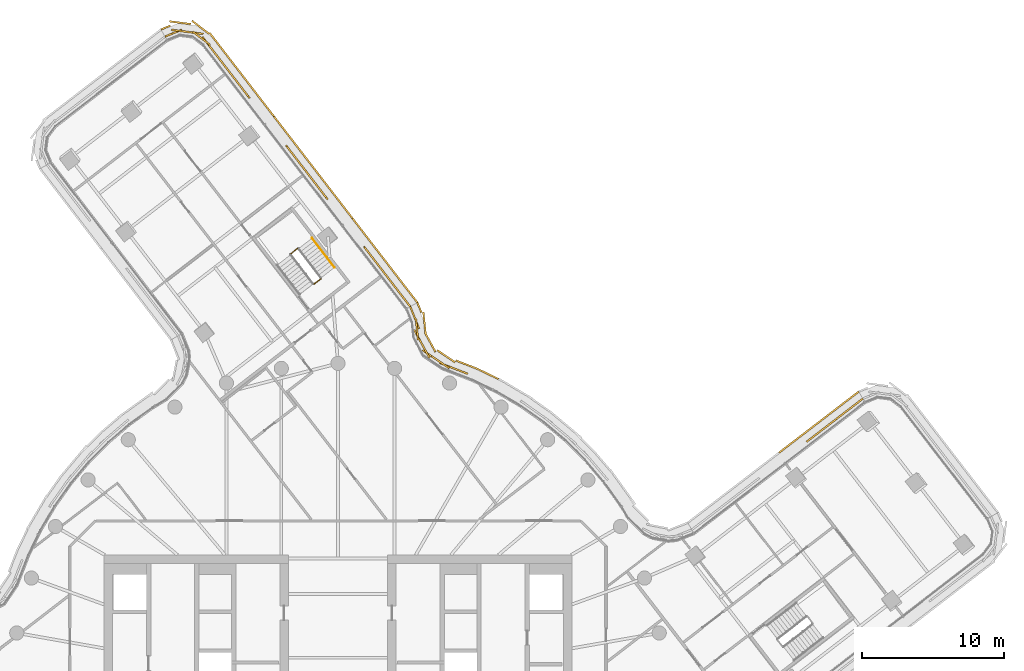
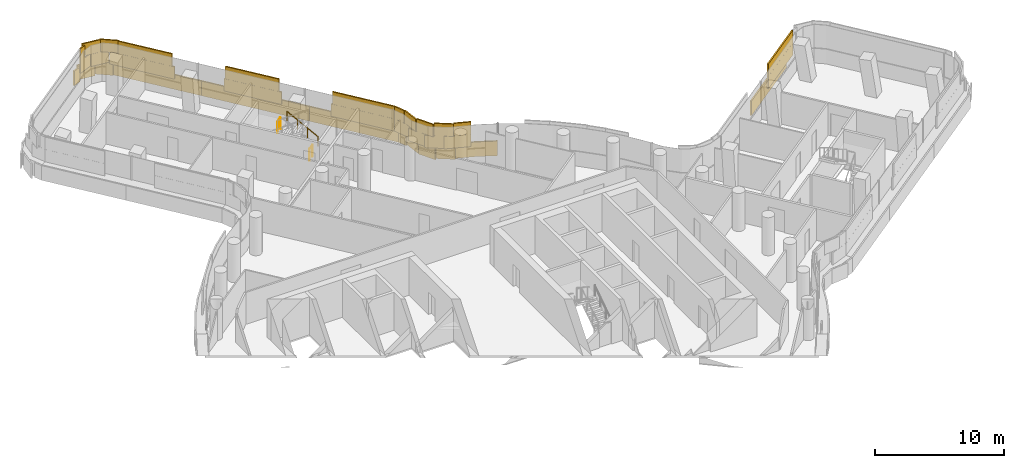
# One storey, part 33 of 33: 5 coverings, 3 railings.
"""IFC4 building model written with IfcOpenShell, lengths in metres."""

import ifcopenshell
import ifcopenshell.guid

model = None  # the IFC model being written
_history = None  # IfcOwnerHistory: only IFC2X3 demands one
_inside = {}  # id of a spatial element -> (the spatial element, [elements in it])
_under = {}  # id of a project, library or spatial element -> (it, [spatial elements below it])
_declared = {}  # id of a project -> (the project, [libraries it declares])
_typed = {}  # id of a type object -> (the type object, [elements of that type])
_made_of = {}  # id of a material, layer set ... -> (it, [elements and type objects made of it])


def new_model(schema):
    """Start an empty IFC model of exactly this schema.

    Asked for "IFC4X3", IfcOpenShell would pick the latest addendum, in which some entities
    have other attributes; the version numbers below select the first issue.
    IFC2X3 requires an IfcOwnerHistory on every rooted entity: one is made here for all.
    """
    global model, _history
    if schema == "IFC4X3":
        model = ifcopenshell.file(schema_version=(4, 3, 0, 0))
    else:
        model = ifcopenshell.file(schema=schema)
    _inside.clear()
    _under.clear()
    _declared.clear()
    _typed.clear()
    _made_of.clear()
    _history = None
    if model.schema == "IFC2X3":
        org = make("IfcOrganization", Name="unknown")
        user = make(
            "IfcPersonAndOrganization",
            ThePerson=make("IfcPerson", FamilyName="unknown"),
            TheOrganization=org,
        )
        app = make(
            "IfcApplication",
            ApplicationDeveloper=org,
            Version="unknown",
            ApplicationFullName="unknown",
            ApplicationIdentifier="unknown",
        )
        _history = make(
            "IfcOwnerHistory",
            OwningUser=user,
            OwningApplication=app,
            ChangeAction="ADDED",
            CreationDate=0,
        )
    return model


def make(cls, **values):
    """One entity of the class cls with the attributes given. An attribute that is None is left unset."""
    return model.create_entity(
        cls, **{name: value for name, value in values.items() if value is not None}
    )


def rooted(cls, **values):
    """An entity with a GlobalId (a new one), such as an element, a storey or a relation."""
    return make(cls, GlobalId=ifcopenshell.guid.new(), OwnerHistory=_history, **values)


def si_unit(unit_type, name, prefix=None):
    """IfcSIUnit, for example si_unit("LENGTHUNIT", "METRE", prefix="MILLI")."""
    return make("IfcSIUnit", UnitType=unit_type, Prefix=prefix, Name=name)


def assignment(units):
    """IfcUnitAssignment: the units of a project."""
    return None if units is None else make("IfcUnitAssignment", Units=units)


def point(xyz):
    """IfcCartesianPoint."""
    return None if xyz is None else make("IfcCartesianPoint", Coordinates=xyz)


def direction(xyz):
    """IfcDirection."""
    return None if xyz is None else make("IfcDirection", DirectionRatios=xyz)


def frame(location, z_axis=None, x_axis=None):
    """IfcAxis2Placement3D, a coordinate frame: its origin and axes. An axis left out is left unset."""
    return make(
        "IfcAxis2Placement3D",
        Location=point(location),
        Axis=direction(z_axis),
        RefDirection=direction(x_axis),
    )


def frame_2d(location, x_axis=None):
    """IfcAxis2Placement2D, a coordinate frame in the plane: its origin and x axis."""
    return make(
        "IfcAxis2Placement2D", Location=point(location), RefDirection=direction(x_axis)
    )


def origin():
    """The frame at (0, 0, 0) with its axes left unset."""
    return frame((0.0, 0.0, 0.0))


def origin_2d():
    """The frame at (0, 0) in the plane with its x axis left unset."""
    return frame_2d((0.0, 0.0))


def place(relative_to, where):
    """IfcLocalPlacement: puts the frame where relative to a parent placement (None: the world)."""
    return make(
        "IfcLocalPlacement", PlacementRelTo=relative_to, RelativePlacement=where
    )


def context(
    kind, dimensions, precision=None, world=None, true_north=None, identifier=None
):
    """IfcGeometricRepresentationContext, for example the 3D "Model" context."""
    return make(
        "IfcGeometricRepresentationContext",
        ContextIdentifier=identifier,
        ContextType=kind,
        CoordinateSpaceDimension=dimensions,
        Precision=precision,
        WorldCoordinateSystem=world,
        TrueNorth=true_north,
    )


def subcontext(parent, identifier, kind, view, scale=None):
    """IfcGeometricRepresentationSubContext, for example "Body" below "Model"."""
    return make(
        "IfcGeometricRepresentationSubContext",
        ContextIdentifier=identifier,
        ContextType=kind,
        ParentContext=parent,
        TargetScale=scale,
        TargetView=view,
    )


def project(units=None, contexts=None):
    """IfcProject with its units and contexts."""
    return rooted(
        "IfcProject",
        Name="project",
        RepresentationContexts=contexts,
        UnitsInContext=assignment(units),
    )


def spatial(cls, under=None, at=None, **own):
    """A site, building, storey or space (cls), placed at a placement, below another one or the project."""
    s = rooted(cls, ObjectPlacement=at, **own)
    if under is not None:
        _under.setdefault(under.id(), (under, []))[1].append(s)
    return s


def profile(cls, at=None, kind="AREA", **sizes):
    """A parametric profile (cls). Its sizes go by their IFC names, for example OverallWidth=200.0."""
    return make(cls, ProfileType=kind, Position=at, **sizes)


def rectangle(**sizes):
    """IfcRectangleProfileDef."""
    return profile("IfcRectangleProfileDef", **sizes)


def circle(**sizes):
    """IfcCircleProfileDef."""
    return profile("IfcCircleProfileDef", **sizes)


def extrude(swept, where, along, depth):
    """IfcExtrudedAreaSolid: the profile swept, set in the frame where, extruded along a direction by depth."""
    return make(
        "IfcExtrudedAreaSolid",
        SweptArea=swept,
        Position=where,
        ExtrudedDirection=direction(along),
        Depth=depth,
    )


def shape(context_of_items, identifier, shape_type, items):
    """IfcShapeRepresentation: the items that make up one representation, for example the "Body"."""
    return make(
        "IfcShapeRepresentation",
        ContextOfItems=context_of_items,
        RepresentationIdentifier=identifier,
        RepresentationType=shape_type,
        Items=items,
    )


def material(Name=None, Category=None):
    """IfcMaterial."""
    return make("IfcMaterial", Name=Name, Category=Category)


def layer(
    of_material, thickness, ventilated=None, Name=None, Category=None, Priority=None
):
    """IfcMaterialLayer: one layer of a wall or slab, of a material (None: an air gap)."""
    return make(
        "IfcMaterialLayer",
        Material=of_material,
        LayerThickness=thickness,
        IsVentilated=ventilated,
        Name=Name,
        Category=Category,
        Priority=Priority,
    )


def layer_set(layers, Name=None):
    """IfcMaterialLayerSet."""
    return make("IfcMaterialLayerSet", MaterialLayers=layers, LayerSetName=Name)


def made_of(thing, what):
    """Note that an element or type object is made of a material, layer set ...; save() writes the relation."""
    if what is not None:
        _made_of.setdefault(what.id(), (what, []))[1].append(thing)
    return thing


def type_object(cls, material=None, **own):
    """A type object (cls), such as IfcWallType, which elements share."""
    return made_of(rooted(cls, **own), material)


def element(
    cls,
    number,
    at=None,
    inside=None,
    cuts=None,
    type_object=None,
    material=None,
    context=None,
    identifier="Body",
    shape_type=None,
    held_by="IfcProductDefinitionShape",
    body=None,
    shapes=None,
    **own,
):
    """One element of the class cls, such as IfcWall. Its Tag is "e" and its number.

    at: its placement. inside: the storey or other place that contains it. cuts: it is an
    opening in that element (IfcRelVoidsElement). A single representation is given by context,
    identifier, shape_type and body (its items); several are given by shapes. held_by: the class
    of the entity that holds the representations. save() writes the other relations.
    """
    e = rooted(cls, Tag="e%d" % number, ObjectPlacement=at, **own)
    if body is not None:
        shapes = [shape(context, identifier, shape_type, body)]
    if shapes is not None:
        e.Representation = make(held_by, Representations=shapes)
    if inside is not None:
        _inside.setdefault(inside.id(), (inside, []))[1].append(e)
    if cuts is not None:
        rooted(
            "IfcRelVoidsElement", RelatingBuildingElement=cuts, RelatedOpeningElement=e
        )
    if type_object is not None:
        _typed.setdefault(type_object.id(), (type_object, []))[1].append(e)
    return made_of(e, material)


def aggregate(whole, parts):
    """IfcRelAggregates: a whole, such as a stair, and the parts it consists of."""
    return rooted("IfcRelAggregates", RelatingObject=whole, RelatedObjects=parts)


def save(model, path):
    """Write the relations noted so far, then the file.

    IfcRelAggregates (storeys below a building ...), IfcRelContainedInSpatialStructure (elements
    in a storey), IfcRelDefinesByType, IfcRelAssociatesMaterial and IfcRelDeclares: one each for
    every whole, place, type object, material and project.
    """
    for whole, parts in _under.values():
        aggregate(whole, parts)
    for where, things in _inside.values():
        rooted(
            "IfcRelContainedInSpatialStructure",
            RelatedElements=things,
            RelatingStructure=where,
        )
    for kind, things in _typed.values():
        rooted("IfcRelDefinesByType", RelatedObjects=things, RelatingType=kind)
    for what, things in _made_of.values():
        rooted("IfcRelAssociatesMaterial", RelatedObjects=things, RelatingMaterial=what)
    for by, libraries in _declared.values():
        rooted("IfcRelDeclares", RelatingContext=by, RelatedDefinitions=libraries)
    model.write(path)


model = new_model("IFC4")

# Units and contexts
model_context = context("Model", 3, precision=1e-05, world=origin(), true_north=direction((0.0, 1.0)))
body_context = subcontext(model_context, "Body", "Model", "MODEL_VIEW")
ifc_project = project(units=[si_unit("LENGTHUNIT", "METRE"), si_unit("AREAUNIT", "SQUARE_METRE"), si_unit("VOLUMEUNIT", "CUBIC_METRE"), si_unit("PLANEANGLEUNIT", "RADIAN"), si_unit("MASSUNIT", "GRAM", prefix="KILO")], contexts=[model_context])

# Site, building, storey
site_placement = place(None, origin())
site = spatial("IfcSite", under=ifc_project, at=site_placement, CompositionType="ELEMENT")
building_placement = place(site_placement, origin())
building = spatial("IfcBuilding", under=site, at=building_placement, Name="Tamarind Cross Interchange Tower", CompositionType="ELEMENT")
storey_placement = place(building_placement, frame((0.0, 0.0, 170.5)))
storey = spatial("IfcBuildingStorey", under=building, at=storey_placement, Name="L42", CompositionType="ELEMENT", Elevation=170.5)

# Railings
ifc_material_1 = material(Name="Stair guard")
railing_type_1 = type_object("IfcRailingType", Name="Stair guard", PredefinedType="GUARDRAIL", material=ifc_material_1)
railing_1_placement = place(storey_placement, frame((-2.848388671875, 31.103759765625, 1.875)))
element("IfcRailing", 1, at=railing_1_placement, inside=storey, type_object=railing_type_1, Name="L42 ST4 stair guard 2", PredefinedType="GUARDRAIL", context=body_context, shape_type="SweptSolid", body=[
    extrude(circle(Radius=0.02392578125, at=origin_2d()), frame((0.0, 0.0, 1.076171875), z_axis=(-0.792018396925, -0.610497222707, 0.0), x_axis=(0.610497222707, -0.792018396925, 0.0)), (0.0, 0.0, 1.0), 0.599853515625),
    extrude(circle(Radius=0.02099609375, at=origin_2d()), origin(), (0.0, 0.0, 1.0), 1.052001953125),
    extrude(circle(Radius=0.02099609375, at=origin_2d()), frame((-0.47509765625, -0.3662109375, 0.0)), (0.0, 0.0, 1.0), 1.052001953125),
])
railing_2_placement = place(storey_placement, frame((-1.200439453125, 28.965087890625, 0.0)))
element("IfcRailing", 2, at=railing_2_placement, inside=storey, type_object=railing_type_1, Name="L42 ST4 stair guard 4", PredefinedType="GUARDRAIL", context=body_context, shape_type="SweptSolid", body=[
    extrude(circle(Radius=0.02392578125, at=origin_2d()), frame((0.0, 0.0, 1.076171875), z_axis=(-0.792170014607, -0.610300473503, 0.0), x_axis=(0.610300473503, -0.792170014607, 0.0)), (0.0, 0.0, 1.0), 0.60009765625),
    extrude(circle(Radius=0.02099609375, at=origin_2d()), origin(), (0.0, 0.0, 1.0), 1.052001953125),
    extrude(circle(Radius=0.02099609375, at=origin_2d()), frame((-0.475341796875, -0.3662109375, 0.0)), (0.0, 0.0, 1.0), 1.052001953125),
])
ifc_material_2 = material(Name="Stair handrail")
railing_type_2 = type_object("IfcRailingType", Name="Stair handrail", PredefinedType="HANDRAIL", material=ifc_material_2)
railing_3_placement = place(storey_placement, frame((-0.24072265625, 29.767578125, 0.17041015625)))
element("IfcRailing", 3, at=railing_3_placement, inside=storey, type_object=railing_type_2, Name="L42 ST4 stair handrail 1", PredefinedType="HANDRAIL", context=body_context, shape_type="SweptSolid", body=[
    extrude(circle(Radius=0.02392578125, at=origin_2d()), frame((0.0, 0.0, 0.8759765625), z_axis=(-0.510429269447, 0.662458664163, 0.548279562967), x_axis=(-0.792135038923, -0.61034586925, 0.0)), (0.0, 0.0, 1.0), 3.10888671875),
    extrude(circle(Radius=0.02099609375, at=origin_2d()), origin(), (0.0, 0.0, 1.0), 0.851806640625),
    extrude(circle(Radius=0.02099609375, at=origin_2d()), frame((-0.529052734375, 0.6865234375, 0.568115234375)), (0.0, 0.0, 1.0), 0.851806640625),
    extrude(circle(Radius=0.02099609375, at=origin_2d()), frame((-1.057861328125, 1.373046875, 1.136474609375)), (0.0, 0.0, 1.0), 0.851806640625),
    extrude(circle(Radius=0.02099609375, at=origin_2d()), frame((-1.5869140625, 2.0595703125, 1.70458984375)), (0.0, 0.0, 1.0), 0.851806640625),
])

# Coverings
ifc_material_3 = material(Name="Terracotta", Category="masonry")
ifc_layer = layer(ifc_material_3, 0.1201171875)
ifc_layer_set = layer_set([ifc_layer], Name="Terracotta")
covering_type = type_object("IfcCoveringType", Name="Terracotta baguette screen unit", PredefinedType="MOLDING", material=ifc_layer_set)
covering_1_placement = place(storey_placement, origin())
element("IfcCovering", 4, at=covering_1_placement, inside=storey, type_object=covering_type, Name="SCR-L42-01-00", PredefinedType="MOLDING", context=body_context, shape_type="SweptSolid", body=[
    extrude(rectangle(XDim=1.510009765625, YDim=0.1201171875, at=origin_2d()), frame((36.412841796875, 20.057373046875, 1.404052734375), z_axis=(0.0, 0.0, 1.0), x_axis=(-0.793725115769, -0.608276615198, 0.0)), (0.0, 0.0, 1.0), 1.1669921875),
    extrude(rectangle(XDim=1.52001953125, YDim=0.1201171875, at=origin_2d()), frame((35.222412109375, 19.144775390625, 1.404052734375), z_axis=(0.0, 0.0, 1.0), x_axis=(-0.793725115769, -0.608276615198, 0.0)), (0.0, 0.0, 1.0), 1.1669921875),
    extrude(rectangle(XDim=1.52001953125, YDim=0.1201171875, at=origin_2d()), frame((34.03173828125, 18.232421875, 1.404052734375), z_axis=(0.0, 0.0, 1.0), x_axis=(-0.793725115769, -0.608276615198, 0.0)), (0.0, 0.0, 1.0), 1.1669921875),
    extrude(rectangle(XDim=0.50634765625, YDim=0.1201171875, at=origin_2d()), frame((33.239501953125, 17.625244140625, 1.404052734375), z_axis=(0.0, 0.0, 1.0), x_axis=(-0.793725115769, -0.608276615198, 0.0)), (0.0, 0.0, 1.0), 1.1669921875),
    extrude(rectangle(XDim=0.760009765625, YDim=0.1201171875, at=origin_2d()), frame((36.71044921875, 20.285400390625, 2.5791015625), z_axis=(0.0, 0.0, 1.0), x_axis=(-0.793725115769, -0.608276615198, 0.0)), (0.0, 0.0, 1.0), 1.1669921875),
    extrude(rectangle(XDim=1.52001953125, YDim=0.1201171875, at=origin_2d()), frame((35.817626953125, 19.60107421875, 2.5791015625), z_axis=(0.0, 0.0, 1.0), x_axis=(-0.793725115769, -0.608276615198, 0.0)), (0.0, 0.0, 1.0), 1.1669921875),
    extrude(rectangle(XDim=1.52001953125, YDim=0.1201171875, at=origin_2d()), frame((34.626953125, 18.688720703125, 2.5791015625), z_axis=(0.0, 0.0, 1.0), x_axis=(-0.793725115769, -0.608276615198, 0.0)), (0.0, 0.0, 1.0), 1.1669921875),
    extrude(rectangle(XDim=1.25634765625, YDim=0.1201171875, at=origin_2d()), frame((33.537109375, 17.853271484375, 2.5791015625), z_axis=(0.0, 0.0, 1.0), x_axis=(-0.793725115769, -0.608276615198, 0.0)), (0.0, 0.0, 1.0), 1.1669921875),
    extrude(rectangle(XDim=1.510009765625, YDim=0.1201171875, at=origin_2d()), frame((36.119140625, 20.555419921875, 0.00390625), z_axis=(0.0, 0.0, 1.0), x_axis=(-0.793725115769, -0.608276615198, 0.0)), (0.0, 0.0, 1.0), 1.39208984375),
    extrude(rectangle(XDim=1.52001953125, YDim=0.1201171875, at=origin_2d()), frame((34.9326171875, 19.64599609375, 0.00390625), z_axis=(0.0, 0.0, 1.0), x_axis=(-0.793725115769, -0.608276615198, 0.0)), (0.0, 0.0, 1.0), 1.39208984375),
    extrude(rectangle(XDim=1.52001953125, YDim=0.1201171875, at=origin_2d()), frame((33.741943359375, 18.733642578125, 0.00390625), z_axis=(0.0, 0.0, 1.0), x_axis=(-0.793725115769, -0.608276615198, 0.0)), (0.0, 0.0, 1.0), 1.39208984375),
    extrude(rectangle(XDim=1.52001953125, YDim=0.1201171875, at=origin_2d()), frame((32.55126953125, 17.821044921875, 0.00390625), z_axis=(0.0, 0.0, 1.0), x_axis=(-0.793725115769, -0.608276615198, 0.0)), (0.0, 0.0, 1.0), 1.39208984375),
    extrude(rectangle(XDim=1.103515625, YDim=0.1201171875, at=origin_2d()), frame((31.526123046875, 17.035400390625, 0.00390625), z_axis=(0.0, 0.0, 1.0), x_axis=(-0.793725115769, -0.608276615198, 0.0)), (0.0, 0.0, 1.0), 1.39208984375),
])
covering_2_placement = place(storey_placement, origin())
element("IfcCovering", 5, at=covering_2_placement, inside=storey, type_object=covering_type, Name="SCR-L42-02-01", PredefinedType="MOLDING", context=body_context, shape_type="SweptSolid", body=[
    extrude(rectangle(XDim=0.62158203125, YDim=0.1201171875, at=origin_2d()), frame((8.866943359375, 22.37548828125, 1.404052734375), z_axis=(0.0, 0.0, 1.0), x_axis=(-0.932343972934, 0.361572559984, 0.0)), (0.0, 0.0, 1.0), 1.1669921875),
    extrude(rectangle(XDim=1.52001953125, YDim=0.1201171875, at=origin_2d()), frame((7.882568359375, 22.757080078125, 1.404052734375), z_axis=(0.0, 0.0, 1.0), x_axis=(-0.932343972934, 0.361572559984, 0.0)), (0.0, 0.0, 1.0), 1.1669921875),
    extrude(rectangle(XDim=1.52001953125, YDim=0.1201171875, at=origin_2d()), frame((6.594970703125, 23.510986328125, 1.404052734375), z_axis=(0.0, 0.0, 1.0), x_axis=(-0.827543928648, 0.561400967364, 0.0)), (0.0, 0.0, 1.0), 1.1669921875),
    extrude(rectangle(XDim=1.52001953125, YDim=0.1201171875, at=origin_2d()), frame((5.73681640625, 24.70068359375, 1.404052734375), z_axis=(0.0, 0.0, 1.0), x_axis=(-0.478047090214, 0.8783342072, 0.0)), (0.0, 0.0, 1.0), 1.1669921875),
    extrude(rectangle(XDim=1.52001953125, YDim=0.1201171875, at=origin_2d()), frame((5.43701171875, 26.151611328125, 1.404052734375), z_axis=(0.0, 0.0, 1.0), x_axis=(-0.372126452941, 0.928182041962, 0.0)), (0.0, 0.0, 1.0), 1.1669921875),
    extrude(rectangle(XDim=0.17724609375, YDim=0.1201171875, at=origin_2d()), frame((5.126708984375, 26.92529296875, 1.404052734375), z_axis=(0.0, 0.0, 1.0), x_axis=(-0.372126452941, 0.928182041962, 0.0)), (0.0, 0.0, 1.0), 1.1669921875),
    extrude(rectangle(XDim=1.37158203125, YDim=0.1201171875, at=origin_2d()), frame((8.517333984375, 22.510986328125, 2.5791015625), z_axis=(0.0, 0.0, 1.0), x_axis=(-0.932343972934, 0.361572559984, 0.0)), (0.0, 0.0, 1.0), 1.1669921875),
    extrude(rectangle(XDim=1.52001953125, YDim=0.1201171875, at=origin_2d()), frame((7.215576171875, 23.090087890625, 2.5791015625), z_axis=(0.0, 0.0, 1.0), x_axis=(-0.827543928648, 0.561400967364, 0.0)), (0.0, 0.0, 1.0), 1.1669921875),
    extrude(rectangle(XDim=1.52001953125, YDim=0.1201171875, at=origin_2d()), frame((6.095458984375, 24.0419921875, 2.5791015625), z_axis=(0.0, 0.0, 1.0), x_axis=(-0.478047090214, 0.8783342072, 0.0)), (0.0, 0.0, 1.0), 1.1669921875),
    extrude(rectangle(XDim=1.52001953125, YDim=0.1201171875, at=origin_2d()), frame((5.568359375, 25.418701171875, 2.5791015625), z_axis=(0.0, 0.0, 1.0), x_axis=(-0.105931590269, 0.99437341989, 0.0)), (0.0, 0.0, 1.0), 1.1669921875),
    extrude(rectangle(XDim=0.92724609375, YDim=0.1201171875, at=origin_2d()), frame((5.266357421875, 26.577392578125, 2.5791015625), z_axis=(0.0, 0.0, 1.0), x_axis=(-0.372126452941, 0.928182041962, 0.0)), (0.0, 0.0, 1.0), 1.1669921875),
    extrude(rectangle(XDim=0.296630859375, YDim=0.1201171875, at=origin_2d()), frame((11.1875, 21.959228515625, 0.00390625), z_axis=(0.0, 0.0, 1.0), x_axis=(-0.900272776334, 0.435326231914, 0.0)), (0.0, 0.0, 1.0), 1.39208984375),
    extrude(rectangle(XDim=1.52001953125, YDim=0.1201171875, at=origin_2d()), frame((10.387939453125, 22.345703125, 0.00390625), z_axis=(0.0, 0.0, 1.0), x_axis=(-0.900272776334, 0.435326231914, 0.0)), (0.0, 0.0, 1.0), 1.39208984375),
    extrude(rectangle(XDim=1.52001953125, YDim=0.1201171875, at=origin_2d()), frame((9.010009765625, 22.935546875, 0.00390625), z_axis=(0.0, 0.0, 1.0), x_axis=(-0.932343972934, 0.361572559984, 0.0)), (0.0, 0.0, 1.0), 1.39208984375),
    extrude(rectangle(XDim=1.52001953125, YDim=0.1201171875, at=origin_2d()), frame((7.625732421875, 23.50537109375, 0.00390625), z_axis=(0.0, 0.0, 1.0), x_axis=(-0.827543928648, 0.561400967364, 0.0)), (0.0, 0.0, 1.0), 1.39208984375),
    extrude(rectangle(XDim=1.52001953125, YDim=0.1201171875, at=origin_2d()), frame((6.51708984375, 24.4677734375, 0.00390625), z_axis=(0.0, 0.0, 1.0), x_axis=(-0.478047090214, 0.8783342072, 0.0)), (0.0, 0.0, 1.0), 1.39208984375),
    extrude(rectangle(XDim=1.52001953125, YDim=0.1201171875, at=origin_2d()), frame((6.0966796875, 25.877685546875, 0.00390625), z_axis=(0.0, 0.0, 1.0), x_axis=(-0.105931590269, 0.99437341989, 0.0)), (0.0, 0.0, 1.0), 1.39208984375),
    extrude(rectangle(XDim=0.76513671875, YDim=0.1201171875, at=origin_2d()), frame((5.7412109375, 26.935302734375, 0.00390625), z_axis=(0.0, 0.0, 1.0), x_axis=(-0.372126452941, 0.928182041962, 0.0)), (0.0, 0.0, 1.0), 1.39208984375),
])
covering_3_placement = place(storey_placement, origin())
element("IfcCovering", 6, at=covering_3_placement, inside=storey, type_object=covering_type, Name="SCR-L42-03-00", PredefinedType="MOLDING", context=body_context, shape_type="SweptSolid", body=[
    extrude(rectangle(XDim=1.510009765625, YDim=0.1201171875, at=origin_2d()), frame((4.637939453125, 27.59716796875, 1.404052734375), z_axis=(0.0, 0.0, 1.0), x_axis=(-0.610322147879, 0.792153315847, 0.0)), (0.0, 0.0, 1.0), 1.1669921875),
    extrude(rectangle(XDim=1.52001953125, YDim=0.1201171875, at=origin_2d()), frame((3.722412109375, 28.785400390625, 1.404052734375), z_axis=(0.0, 0.0, 1.0), x_axis=(-0.610322147879, 0.792153315847, 0.0)), (0.0, 0.0, 1.0), 1.1669921875),
    extrude(rectangle(XDim=1.52001953125, YDim=0.1201171875, at=origin_2d()), frame((2.806884765625, 29.9736328125, 1.404052734375), z_axis=(0.0, 0.0, 1.0), x_axis=(-0.610322147879, 0.792153315847, 0.0)), (0.0, 0.0, 1.0), 1.1669921875),
    extrude(rectangle(XDim=0.85205078125, YDim=0.1201171875, at=origin_2d()), frame((2.09228515625, 30.901123046875, 1.404052734375), z_axis=(0.0, 0.0, 1.0), x_axis=(-0.610322147879, 0.792153315847, 0.0)), (0.0, 0.0, 1.0), 1.1669921875),
    extrude(rectangle(XDim=0.760009765625, YDim=0.1201171875, at=origin_2d()), frame((4.866943359375, 27.300048828125, 2.5791015625), z_axis=(0.0, 0.0, 1.0), x_axis=(-0.610322147879, 0.792153315847, 0.0)), (0.0, 0.0, 1.0), 1.1669921875),
    extrude(rectangle(XDim=1.52001953125, YDim=0.1201171875, at=origin_2d()), frame((4.18017578125, 28.191162109375, 2.5791015625), z_axis=(0.0, 0.0, 1.0), x_axis=(-0.610322147879, 0.792153315847, 0.0)), (0.0, 0.0, 1.0), 1.1669921875),
    extrude(rectangle(XDim=1.52001953125, YDim=0.1201171875, at=origin_2d()), frame((3.2646484375, 29.37939453125, 2.5791015625), z_axis=(0.0, 0.0, 1.0), x_axis=(-0.610322147879, 0.792153315847, 0.0)), (0.0, 0.0, 1.0), 1.1669921875),
    extrude(rectangle(XDim=1.52001953125, YDim=0.1201171875, at=origin_2d()), frame((2.349365234375, 30.567626953125, 2.5791015625), z_axis=(0.0, 0.0, 1.0), x_axis=(-0.610322147879, 0.792153315847, 0.0)), (0.0, 0.0, 1.0), 1.1669921875),
    extrude(rectangle(XDim=1.510009765625, YDim=0.1201171875, at=origin_2d()), frame((5.13818359375, 27.888427734375, 0.00390625), z_axis=(0.0, 0.0, 1.0), x_axis=(-0.610322147879, 0.792153315847, 0.0)), (0.0, 0.0, 1.0), 1.39208984375),
    extrude(rectangle(XDim=1.52001953125, YDim=0.1201171875, at=origin_2d()), frame((4.2255859375, 29.07275390625, 0.00390625), z_axis=(0.0, 0.0, 1.0), x_axis=(-0.610322147879, 0.792153315847, 0.0)), (0.0, 0.0, 1.0), 1.39208984375),
    extrude(rectangle(XDim=1.52001953125, YDim=0.1201171875, at=origin_2d()), frame((3.310302734375, 30.260986328125, 0.00390625), z_axis=(0.0, 0.0, 1.0), x_axis=(-0.610322147879, 0.792153315847, 0.0)), (0.0, 0.0, 1.0), 1.39208984375),
    extrude(rectangle(XDim=1.52001953125, YDim=0.1201171875, at=origin_2d()), frame((2.394775390625, 31.44921875, 0.00390625), z_axis=(0.0, 0.0, 1.0), x_axis=(-0.610322147879, 0.792153315847, 0.0)), (0.0, 0.0, 1.0), 1.39208984375),
    extrude(rectangle(XDim=1.5009765625, YDim=0.1201171875, at=origin_2d()), frame((1.485107421875, 32.6298828125, 0.00390625), z_axis=(0.0, 0.0, 1.0), x_axis=(-0.610322147879, 0.792153315847, 0.0)), (0.0, 0.0, 1.0), 1.39208984375),
])
covering_4_placement = place(storey_placement, origin())
element("IfcCovering", 7, at=covering_4_placement, inside=storey, type_object=covering_type, Name="SCR-L42-03-01", PredefinedType="MOLDING", context=body_context, shape_type="SweptSolid", body=[
    extrude(rectangle(XDim=0.968017578125, YDim=0.1201171875, at=origin_2d()), frame((-1.020263671875, 34.941162109375, 1.404052734375), z_axis=(0.0, 0.0, 1.0), x_axis=(-0.610322147879, 0.792153315847, 0.0)), (0.0, 0.0, 1.0), 1.1669921875),
    extrude(rectangle(XDim=1.52001953125, YDim=0.1201171875, at=origin_2d()), frame((-1.7705078125, 35.914794921875, 1.404052734375), z_axis=(0.0, 0.0, 1.0), x_axis=(-0.610322147879, 0.792153315847, 0.0)), (0.0, 0.0, 1.0), 1.1669921875),
    extrude(rectangle(XDim=1.52001953125, YDim=0.1201171875, at=origin_2d()), frame((-2.685791015625, 37.10302734375, 1.404052734375), z_axis=(0.0, 0.0, 1.0), x_axis=(-0.610322147879, 0.792153315847, 0.0)), (0.0, 0.0, 1.0), 1.1669921875),
    extrude(rectangle(XDim=0.861328125, YDim=0.1201171875, at=origin_2d()), frame((-3.403564453125, 38.0341796875, 1.404052734375), z_axis=(0.0, 0.0, 1.0), x_axis=(-0.610322147879, 0.792153315847, 0.0)), (0.0, 0.0, 1.0), 1.1669921875),
    extrude(rectangle(XDim=1.52001953125, YDim=0.1201171875, at=origin_2d()), frame((-1.312744140625, 35.320556640625, 2.5791015625), z_axis=(0.0, 0.0, 1.0), x_axis=(-0.610322147879, 0.792153315847, 0.0)), (0.0, 0.0, 1.0), 1.1669921875),
    extrude(rectangle(XDim=1.52001953125, YDim=0.1201171875, at=origin_2d()), frame((-2.228271484375, 36.5087890625, 2.5791015625), z_axis=(0.0, 0.0, 1.0), x_axis=(-0.610322147879, 0.792153315847, 0.0)), (0.0, 0.0, 1.0), 1.1669921875),
    extrude(rectangle(XDim=1.52001953125, YDim=0.1201171875, at=origin_2d()), frame((-3.1435546875, 37.697021484375, 2.5791015625), z_axis=(0.0, 0.0, 1.0), x_axis=(-0.610322147879, 0.792153315847, 0.0)), (0.0, 0.0, 1.0), 1.1669921875),
    extrude(rectangle(XDim=1.52001953125, YDim=0.1201171875, at=origin_2d()), frame((0.563720703125, 33.82568359375, 0.00390625), z_axis=(0.0, 0.0, 1.0), x_axis=(-0.610322147879, 0.792153315847, 0.0)), (0.0, 0.0, 1.0), 1.39208984375),
    extrude(rectangle(XDim=1.52001953125, YDim=0.1201171875, at=origin_2d()), frame((-0.351806640625, 35.013916015625, 0.00390625), z_axis=(0.0, 0.0, 1.0), x_axis=(-0.610322147879, 0.792153315847, 0.0)), (0.0, 0.0, 1.0), 1.39208984375),
    extrude(rectangle(XDim=1.52001953125, YDim=0.1201171875, at=origin_2d()), frame((-1.267333984375, 36.2021484375, 0.00390625), z_axis=(0.0, 0.0, 1.0), x_axis=(-0.610322147879, 0.792153315847, 0.0)), (0.0, 0.0, 1.0), 1.39208984375),
    extrude(rectangle(XDim=1.52001953125, YDim=0.1201171875, at=origin_2d()), frame((-2.1826171875, 37.390380859375, 0.00390625), z_axis=(0.0, 0.0, 1.0), x_axis=(-0.610322147879, 0.792153315847, 0.0)), (0.0, 0.0, 1.0), 1.39208984375),
    extrude(rectangle(XDim=1.52001953125, YDim=0.1201171875, at=origin_2d()), frame((-3.09814453125, 38.57861328125, 0.00390625), z_axis=(0.0, 0.0, 1.0), x_axis=(-0.610322147879, 0.792153315847, 0.0)), (0.0, 0.0, 1.0), 1.39208984375),
    extrude(rectangle(XDim=1.52001953125, YDim=0.1201171875, at=origin_2d()), frame((-4.013671875, 39.766845703125, 0.00390625), z_axis=(0.0, 0.0, 1.0), x_axis=(-0.610322147879, 0.792153315847, 0.0)), (0.0, 0.0, 1.0), 1.39208984375),
    extrude(rectangle(XDim=0.069580078125, YDim=0.1201171875, at=origin_2d()), frame((-4.486572265625, 40.380615234375, 0.00390625), z_axis=(0.0, 0.0, 1.0), x_axis=(-0.610322147879, 0.792153315847, 0.0)), (0.0, 0.0, 1.0), 1.39208984375),
])
covering_5_placement = place(storey_placement, origin())
element("IfcCovering", 8, at=covering_5_placement, inside=storey, type_object=covering_type, Name="SCR-L42-03-02", PredefinedType="MOLDING", context=body_context, shape_type="SweptSolid", body=[
    extrude(rectangle(XDim=0.958740234375, YDim=0.1201171875, at=origin_2d()), frame((-6.51611328125, 42.07421875, 1.404052734375), z_axis=(0.0, 0.0, 1.0), x_axis=(-0.610322147879, 0.792153315847, 0.0)), (0.0, 0.0, 1.0), 1.1669921875),
    extrude(rectangle(XDim=1.52001953125, YDim=0.1201171875, at=origin_2d()), frame((-7.263427734375, 43.044189453125, 1.404052734375), z_axis=(0.0, 0.0, 1.0), x_axis=(-0.610322147879, 0.792153315847, 0.0)), (0.0, 0.0, 1.0), 1.1669921875),
    extrude(rectangle(XDim=1.52001953125, YDim=0.1201171875, at=origin_2d()), frame((-8.1787109375, 44.232421875, 1.404052734375), z_axis=(0.0, 0.0, 1.0), x_axis=(-0.610322147879, 0.792153315847, 0.0)), (0.0, 0.0, 1.0), 1.1669921875),
    extrude(rectangle(XDim=1.52001953125, YDim=0.1201171875, at=origin_2d()), frame((-9.09423828125, 45.420654296875, 1.404052734375), z_axis=(0.0, 0.0, 1.0), x_axis=(-0.610322147879, 0.792153315847, 0.0)), (0.0, 0.0, 1.0), 1.1669921875),
    extrude(rectangle(XDim=1.52001953125, YDim=0.1201171875, at=origin_2d()), frame((-10.254150390625, 46.328857421875, 1.404052734375), z_axis=(0.0, 0.0, 1.0), x_axis=(-0.991699910849, 0.128574051901, 0.0)), (0.0, 0.0, 1.0), 1.1669921875),
    extrude(rectangle(XDim=1.29150390625, YDim=0.1201171875, at=origin_2d()), frame((-11.603759765625, 46.28662109375, 1.404052734375), z_axis=(0.0, 0.0, 1.0), x_axis=(-0.923124341677, -0.38450156021, 0.0)), (0.0, 0.0, 1.0), 1.1669921875),
    extrude(rectangle(XDim=1.52001953125, YDim=0.1201171875, at=origin_2d()), frame((-6.8056640625, 42.449951171875, 2.5791015625), z_axis=(0.0, 0.0, 1.0), x_axis=(-0.610322147879, 0.792153315847, 0.0)), (0.0, 0.0, 1.0), 1.1669921875),
    extrude(rectangle(XDim=1.52001953125, YDim=0.1201171875, at=origin_2d()), frame((-7.72119140625, 43.63818359375, 2.5791015625), z_axis=(0.0, 0.0, 1.0), x_axis=(-0.610322147879, 0.792153315847, 0.0)), (0.0, 0.0, 1.0), 1.1669921875),
    extrude(rectangle(XDim=1.52001953125, YDim=0.1201171875, at=origin_2d()), frame((-8.636474609375, 44.826416015625, 2.5791015625), z_axis=(0.0, 0.0, 1.0), x_axis=(-0.610322147879, 0.792153315847, 0.0)), (0.0, 0.0, 1.0), 1.1669921875),
    extrude(rectangle(XDim=1.52001953125, YDim=0.1201171875, at=origin_2d()), frame((-9.634033203125, 45.932373046875, 2.5791015625), z_axis=(0.0, 0.0, 1.0), x_axis=(-0.794550289775, 0.607198350638, 0.0)), (0.0, 0.0, 1.0), 1.1669921875),
    extrude(rectangle(XDim=1.52001953125, YDim=0.1201171875, at=origin_2d()), frame((-10.998046875, 46.42529296875, 2.5791015625), z_axis=(0.0, 0.0, 1.0), x_axis=(-0.991699910849, 0.128574051901, 0.0)), (0.0, 0.0, 1.0), 1.1669921875),
    extrude(rectangle(XDim=0.54150390625, YDim=0.1201171875, at=origin_2d()), frame((-11.949951171875, 46.142578125, 2.5791015625), z_axis=(0.0, 0.0, 1.0), x_axis=(-0.923124341677, -0.38450156021, 0.0)), (0.0, 0.0, 1.0), 1.1669921875),
    extrude(rectangle(XDim=1.450439453125, YDim=0.1201171875, at=origin_2d()), frame((-4.950439453125, 40.982666015625, 0.00390625), z_axis=(0.0, 0.0, 1.0), x_axis=(-0.610322147879, 0.792153315847, 0.0)), (0.0, 0.0, 1.0), 1.39208984375),
    extrude(rectangle(XDim=1.52001953125, YDim=0.1201171875, at=origin_2d()), frame((-5.8447265625, 42.143310546875, 0.00390625), z_axis=(0.0, 0.0, 1.0), x_axis=(-0.610322147879, 0.792153315847, 0.0)), (0.0, 0.0, 1.0), 1.39208984375),
    extrude(rectangle(XDim=1.52001953125, YDim=0.1201171875, at=origin_2d()), frame((-6.760009765625, 43.33154296875, 0.00390625), z_axis=(0.0, 0.0, 1.0), x_axis=(-0.610322147879, 0.792153315847, 0.0)), (0.0, 0.0, 1.0), 1.39208984375),
    extrude(rectangle(XDim=1.52001953125, YDim=0.1201171875, at=origin_2d()), frame((-7.675537109375, 44.519775390625, 0.00390625), z_axis=(0.0, 0.0, 1.0), x_axis=(-0.610322147879, 0.792153315847, 0.0)), (0.0, 0.0, 1.0), 1.39208984375),
    extrude(rectangle(XDim=1.52001953125, YDim=0.1201171875, at=origin_2d()), frame((-8.591064453125, 45.7080078125, 0.00390625), z_axis=(0.0, 0.0, 1.0), x_axis=(-0.610322147879, 0.792153315847, 0.0)), (0.0, 0.0, 1.0), 1.39208984375),
    extrude(rectangle(XDim=1.52001953125, YDim=0.1201171875, at=origin_2d()), frame((-9.697998046875, 46.703857421875, 0.00390625), z_axis=(0.0, 0.0, 1.0), x_axis=(-0.794550289775, 0.607198350638, 0.0)), (0.0, 0.0, 1.0), 1.39208984375),
    extrude(rectangle(XDim=1.52001953125, YDim=0.1201171875, at=origin_2d()), frame((-11.13427734375, 47.021728515625, 0.00390625), z_axis=(0.0, 0.0, 1.0), x_axis=(-0.991699910849, 0.128574051901, 0.0)), (0.0, 0.0, 1.0), 1.39208984375),
    extrude(rectangle(XDim=0.712890625, YDim=0.1201171875, at=origin_2d()), frame((-12.15673828125, 46.67822265625, 0.00390625), z_axis=(0.0, 0.0, 1.0), x_axis=(-0.923124341677, -0.38450156021, 0.0)), (0.0, 0.0, 1.0), 1.39208984375),
])

save(model, "model.ifc")
